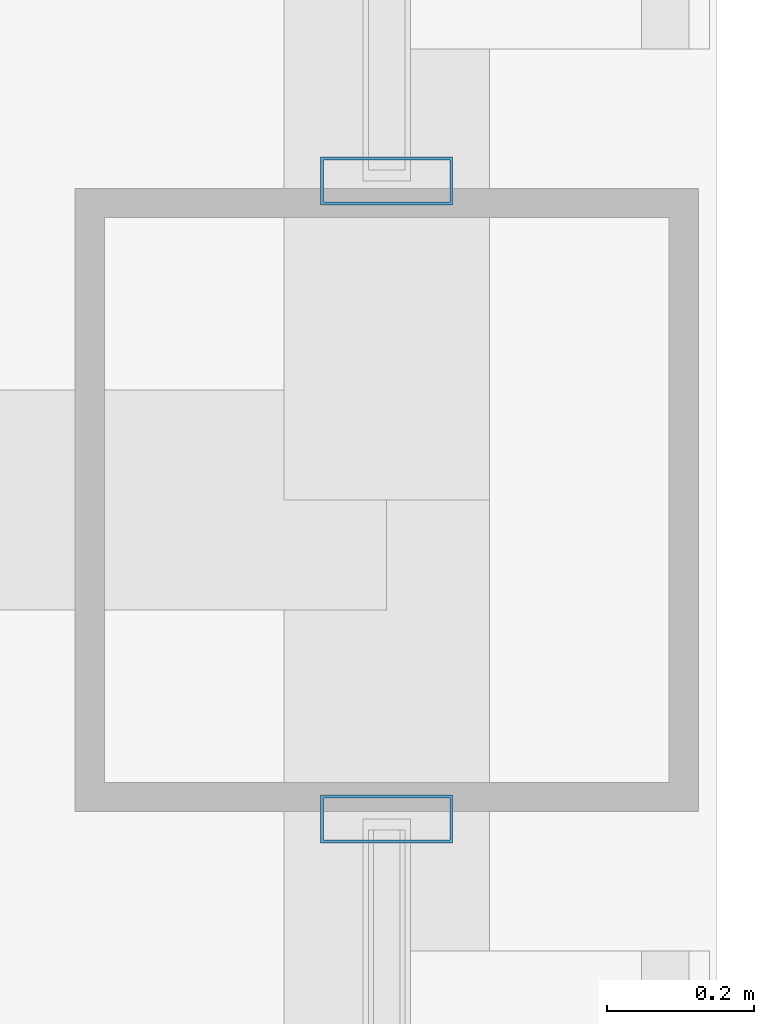
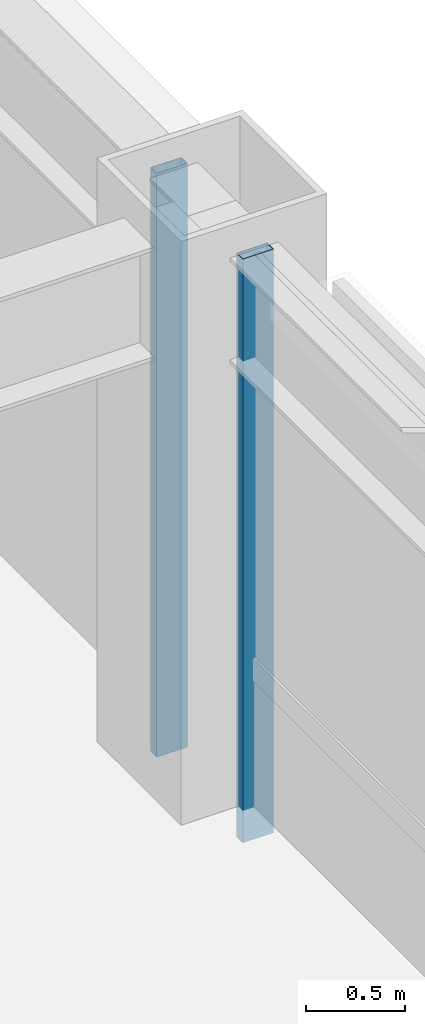
# One storey, part 16 of 29: 2 members, 2 elements without a shape of their own.
"""IFC4 building model written with IfcOpenShell, lengths in metres."""

from ifc_helpers import new_model, si_unit, direction, frame, origin, origin_2d, place, context, subcontext, project, spatial, hollow_rectangle, extrude, material, layer, layer_set, material_profile, profile_set, type_object, element, aggregate, save


model = new_model("IFC4")

# Units and contexts
model_context = context("Model", 3, precision=1e-05, world=origin(), true_north=direction((0.0, 1.0)))
body_context = subcontext(model_context, "Body", "Model", "MODEL_VIEW")
ifc_project = project(units=[si_unit("LENGTHUNIT", "METRE"), si_unit("AREAUNIT", "SQUARE_METRE"), si_unit("VOLUMEUNIT", "CUBIC_METRE"), si_unit("PLANEANGLEUNIT", "RADIAN"), si_unit("MASSUNIT", "GRAM", prefix="KILO")], contexts=[model_context])

# Site, building, storey
site_placement = place(None, origin())
site = spatial("IfcSite", under=ifc_project, at=site_placement, CompositionType="ELEMENT")
building_placement = place(site_placement, origin())
building = spatial("IfcBuilding", under=site, at=building_placement, Name="Brelmoor Portico Tower", CompositionType="ELEMENT")
storey_placement = place(building_placement, frame((0.0, 0.0, 95.39990234375)))
storey = spatial("IfcBuildingStorey", under=building, at=storey_placement, Name="L24", CompositionType="ELEMENT", Elevation=95.39990234375)

# Curtain wall, member
ifc_material = material(Name="Anodised Aluminium Alloy 6063-T6", Category="aluminium")
ifc_layer_1 = layer(ifc_material, 0.179931640625)
ifc_layer_set_1 = layer_set([ifc_layer_1], Name="Anodised Aluminium Alloy 6063-T6")
curtain_wall_type_1 = type_object("IfcCurtainWallType", Name="CW-TOWER-Z2", PredefinedType="NOTDEFINED", material=ifc_layer_set_1)
curtain_wall_1_placement = place(storey_placement, origin())
curtain_wall_1 = element("IfcCurtainWall", 1, at=curtain_wall_1_placement, inside=storey, type_object=curtain_wall_type_1, Name="L24 Curtain Wall CW-L24-4R-1", PredefinedType="NOTDEFINED")
ifc_material_profile = material_profile(ifc_material, hollow_rectangle(XDim=0.06494140625, YDim=0.179931640625, WallThickness=0.00390625, at=origin_2d()), Name="ALU MULLION 65x180")
ifc_profile_set = profile_set([ifc_material_profile], Name="Anodised Aluminium Alloy 6063-T6")
member_type = type_object("IfcMemberType", Name="MB-CW-MULL-180", PredefinedType="MULLION", material=ifc_profile_set)
member_1_placement = place(storey_placement, frame((22.550048828125, 9.31494140625, -0.199951171875), z_axis=(0.0, 0.0, 1.0), x_axis=(0.0, 1.0, 0.0)))
member_1 = element("IfcMember", 2, at=member_1_placement, type_object=member_type, Name="CW-L24-4R-1 Mullion 01", PredefinedType="MULLION", context=body_context, shape_type="SweptSolid", body=[
    extrude(hollow_rectangle(XDim=0.06494140625, YDim=0.179931640625, WallThickness=0.00390625, at=origin_2d()), origin(), (0.0, 0.0, 1.0), 3.60009765625),
])
aggregate(curtain_wall_1, [member_1])

ifc_layer_2 = layer(ifc_material, 0.179931640625)
ifc_layer_set_2 = layer_set([ifc_layer_2], Name="Anodised Aluminium Alloy 6063-T6")
curtain_wall_type_2 = type_object("IfcCurtainWallType", Name="CW-TOWER-Z2-XB", PredefinedType="NOTDEFINED", material=ifc_layer_set_2)
curtain_wall_2_placement = place(storey_placement, origin())
curtain_wall_2 = element("IfcCurtainWall", 3, at=curtain_wall_2_placement, inside=storey, type_object=curtain_wall_type_2, Name="L24 Curtain Wall CW-L24-4R-2", PredefinedType="NOTDEFINED")
member_2_placement = place(storey_placement, frame((22.550048828125, 10.18505859375, -0.199951171875), z_axis=(0.0, 0.0, 1.0), x_axis=(0.0, 1.0, 0.0)))
member_2 = element("IfcMember", 4, at=member_2_placement, type_object=member_type, Name="CW-L24-4R-2 Mullion 00", PredefinedType="MULLION", context=body_context, shape_type="SweptSolid", body=[
    extrude(hollow_rectangle(XDim=0.06494140625, YDim=0.179931640625, WallThickness=0.00390625, at=origin_2d()), origin(), (0.0, 0.0, 1.0), 3.60009765625),
])
aggregate(curtain_wall_2, [member_2])

save(model, "model.ifc")
